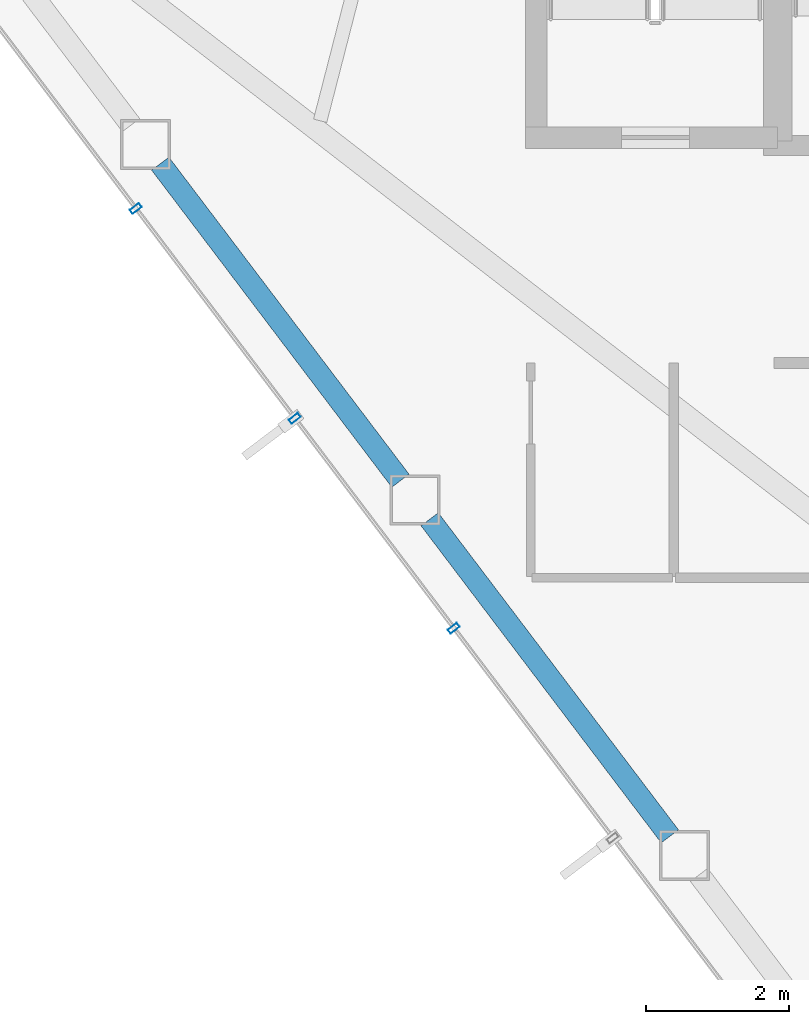
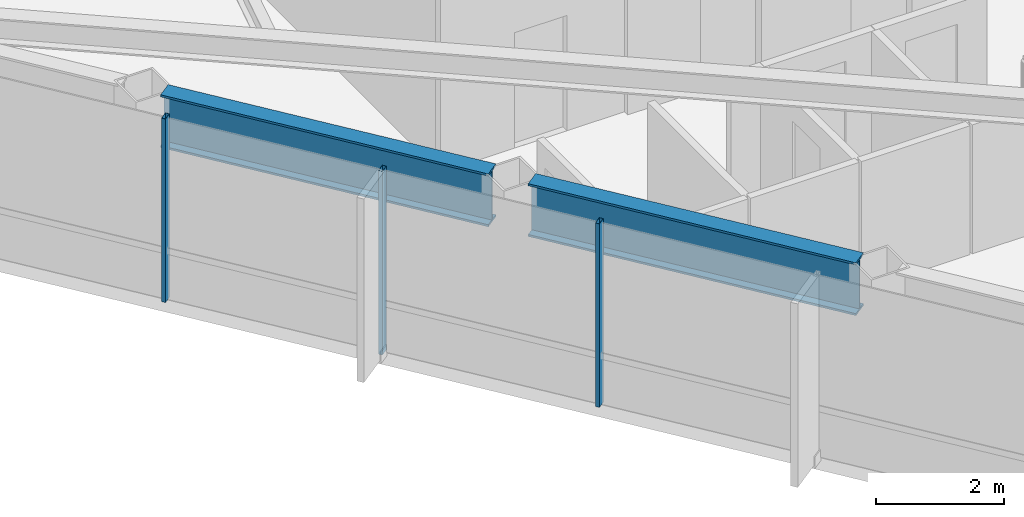
# One storey, part 4 of 28: 3 members, 2 beams, 1 element without a shape of its own.
"""IFC4 building model written with IfcOpenShell, lengths in metres."""

from ifc_helpers import new_model, si_unit, direction, frame, origin, origin_2d, place, context, subcontext, project, spatial, hollow_rectangle, i_section, extrude, material, layer, layer_set, material_profile, profile_set, type_object, element, aggregate, save


model = new_model("IFC4")

# Units and contexts
model_context = context("Model", 3, precision=1e-05, world=origin(), true_north=direction((0.0, 1.0)))
body_context = subcontext(model_context, "Body", "Model", "MODEL_VIEW")
ifc_project = project(units=[si_unit("LENGTHUNIT", "METRE"), si_unit("AREAUNIT", "SQUARE_METRE"), si_unit("VOLUMEUNIT", "CUBIC_METRE"), si_unit("PLANEANGLEUNIT", "RADIAN"), si_unit("MASSUNIT", "GRAM", prefix="KILO")], contexts=[model_context])

# Site, building, storey
site_placement = place(None, origin())
site = spatial("IfcSite", under=ifc_project, at=site_placement, CompositionType="ELEMENT")
building_placement = place(site_placement, origin())
building = spatial("IfcBuilding", under=site, at=building_placement, Name="Zarrinselat Tower", CompositionType="ELEMENT")
storey_placement = place(building_placement, frame((0.0, 0.0, 168.300048828125)))
storey = spatial("IfcBuildingStorey", under=building, at=storey_placement, Name="L41", CompositionType="ELEMENT", Elevation=168.300048828125)

# Beams
ifc_material_1 = material(Name="Steel S460M", Category="steel")
ifc_material_profile_1 = material_profile(ifc_material_1, i_section(OverallWidth=0.302001953125, OverallDepth=1.008056640625, WebThickness=0.02099609375, FlangeThickness=0.0400390625, at=origin_2d()), Name="HEM 1000")
ifc_profile_set_1 = profile_set([ifc_material_profile_1], Name="Steel S460M")
beam_type = type_object("IfcBeamType", Name="BM-HEM1000", PredefinedType="BEAM", material=ifc_profile_set_1)
beam_1_placement = place(storey_placement, frame((19.976318359375, 32.934814453125, 2.995849609375), z_axis=(0.603832304044, -0.797111377784, 0.0), x_axis=(0.797111377784, 0.603832304044, 0.0)))
element("IfcBeam", 1, at=beam_1_placement, inside=storey, type_object=beam_type, Name="L41 Perimeter Spandrel Girder SP07", PredefinedType="BEAM", context=body_context, shape_type="SweptSolid", body=[
    extrude(i_section(OverallWidth=0.302001953125, OverallDepth=1.008056640625, WebThickness=0.02099609375, FlangeThickness=0.0400390625, at=origin_2d()), origin(), (0.0, 0.0, 1.0), 5.555419921875),
])
beam_2_placement = place(storey_placement, frame((23.739013671875, 27.9677734375, 2.995849609375), z_axis=(0.603881379332, -0.797074199618, 0.0), x_axis=(0.797074199618, 0.603881379332, 0.0)))
element("IfcBeam", 2, at=beam_2_placement, inside=storey, type_object=beam_type, Name="L41 Perimeter Spandrel Girder SP08", PredefinedType="BEAM", context=body_context, shape_type="SweptSolid", body=[
    extrude(i_section(OverallWidth=0.302001953125, OverallDepth=1.008056640625, WebThickness=0.02099609375, FlangeThickness=0.0400390625, at=origin_2d()), origin(), (0.0, 0.0, 1.0), 5.55517578125),
])

# Curtain wall, members
ifc_material_2 = material(Name="Extruded Aluminium Alloy EN AW-6063 T6", Category="aluminium")
ifc_layer = layer(ifc_material_2, 0.175048828125)
ifc_layer_set = layer_set([ifc_layer], Name="Extruded Aluminium Alloy EN AW-6063 T6")
curtain_wall_type = type_object("IfcCurtainWallType", Name="CWS-HTL", PredefinedType="NOTDEFINED", material=ifc_layer_set)
curtain_wall_placement = place(storey_placement, origin())
curtain_wall = element("IfcCurtainWall", 3, at=curtain_wall_placement, inside=storey, type_object=curtain_wall_type, Name="L41 Unitised Curtain Wall CW-L41-E03", PredefinedType="NOTDEFINED")
ifc_material_3 = material(Name="Extruded Aluminium Alloy EN AW-6063 T6", Category="aluminium")
ifc_material_profile_2 = material_profile(ifc_material_3, hollow_rectangle(XDim=0.070068359375, YDim=0.159912109375, WallThickness=0.00390625, at=origin_2d()), Name="RHS 160x70x4")
ifc_profile_set_2 = profile_set([ifc_material_profile_2], Name="Extruded Aluminium Alloy EN AW-6063 T6")
member_type = type_object("IfcMemberType", Name="MEM-CW-MUL2", PredefinedType="MULLION", material=ifc_profile_set_2)
member_1_placement = place(storey_placement, frame((19.635009765625, 32.308837890625, 0.0), z_axis=(0.0, 0.0, 1.0), x_axis=(0.603857987184, -0.797091921496, 0.0)))
member_1 = element("IfcMember", 4, at=member_1_placement, type_object=member_type, Name="CW-L41-E03 Mullion 2", PredefinedType="MULLION", context=body_context, shape_type="SweptSolid", body=[
    extrude(hollow_rectangle(XDim=0.070068359375, YDim=0.159912109375, WallThickness=0.00390625, at=origin_2d()), origin(), (0.0, 0.0, 1.0), 3.5),
])
member_2_placement = place(storey_placement, frame((21.85546875, 29.377685546875, 0.0), z_axis=(0.0, 0.0, 1.0), x_axis=(0.603857987184, -0.797091921496, 0.0)))
member_2 = element("IfcMember", 5, at=member_2_placement, type_object=member_type, Name="CW-L41-E03 Mullion 3", PredefinedType="MULLION", context=body_context, shape_type="SweptSolid", body=[
    extrude(hollow_rectangle(XDim=0.070068359375, YDim=0.159912109375, WallThickness=0.00390625, at=origin_2d()), origin(), (0.0, 0.0, 1.0), 3.5),
])
member_3_placement = place(storey_placement, frame((24.075927734375, 26.446533203125, 0.0), z_axis=(0.0, 0.0, 1.0), x_axis=(0.603857987184, -0.797091921496, 0.0)))
member_3 = element("IfcMember", 6, at=member_3_placement, type_object=member_type, Name="CW-L41-E03 Mullion 4", PredefinedType="MULLION", context=body_context, shape_type="SweptSolid", body=[
    extrude(hollow_rectangle(XDim=0.070068359375, YDim=0.159912109375, WallThickness=0.00390625, at=origin_2d()), origin(), (0.0, 0.0, 1.0), 3.5),
])
aggregate(curtain_wall, [member_1, member_2, member_3])

save(model, "model.ifc")
